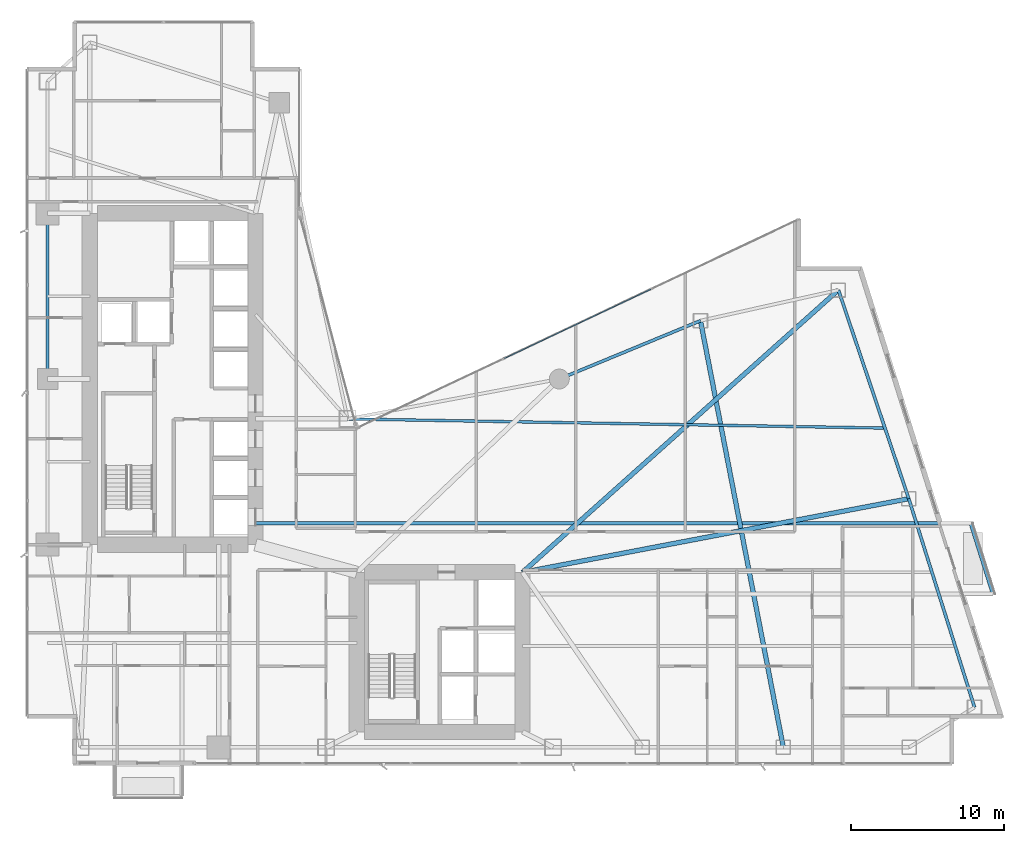
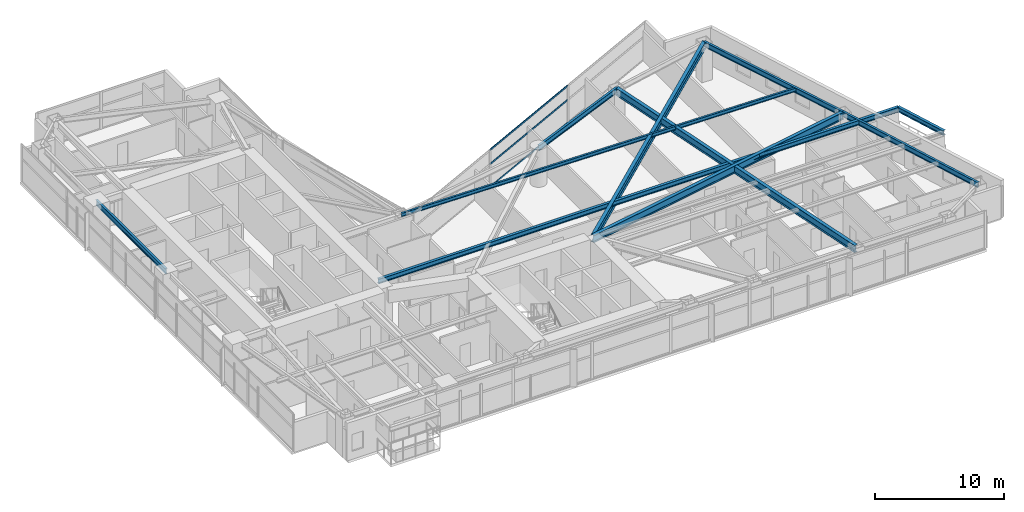
# One storey, part 15 of 29: 10 beams, 3 members, 1 element without a shape of its own.
"""IFC4 building model written with IfcOpenShell, lengths in metres."""

from ifc_helpers import new_model, si_unit, direction, frame, origin, origin_2d, place, context, subcontext, project, spatial, hollow_rectangle, i_section, extrude, material, layer, layer_set, material_profile, profile_set, type_object, element, aggregate, save


model = new_model("IFC4")

# Units and contexts
model_context = context("Model", 3, precision=1e-05, world=origin(), true_north=direction((0.0, 1.0)))
body_context = subcontext(model_context, "Body", "Model", "MODEL_VIEW")
ifc_project = project(units=[si_unit("LENGTHUNIT", "METRE"), si_unit("AREAUNIT", "SQUARE_METRE"), si_unit("VOLUMEUNIT", "CUBIC_METRE"), si_unit("PLANEANGLEUNIT", "RADIAN"), si_unit("MASSUNIT", "GRAM", prefix="KILO")], contexts=[model_context])

# Site, building, storey
site_placement = place(None, origin())
site = spatial("IfcSite", under=ifc_project, at=site_placement, CompositionType="ELEMENT")
building_placement = place(site_placement, origin())
building = spatial("IfcBuilding", under=site, at=building_placement, Name="Calvorn Quay Hotel", CompositionType="ELEMENT")
storey_placement = place(building_placement, frame((0.0, 0.0, 81.199951171875)))
storey = spatial("IfcBuildingStorey", under=building, at=storey_placement, Name="L19", CompositionType="ELEMENT", Elevation=81.199951171875)

# Beams
ifc_material_1 = material(Name="Steel Q355B", Category="steel")
ifc_material_profile_1 = material_profile(ifc_material_1, i_section(OverallWidth=0.25, OverallDepth=0.449951171875, WebThickness=0.011962890625, FlangeThickness=0.01611328125, FilletRadius=0.01611328125, at=origin_2d()), Name="HN450x250x12x16")
ifc_profile_set_1 = profile_set([ifc_material_profile_1], Name="Steel Q355B")
beam_type_1 = type_object("IfcBeamType", Name="BM-CANT-BALC", PredefinedType="BEAM", material=ifc_profile_set_1)
beam_1_placement = place(storey_placement, frame((15.0, 18.199951171875, 3.31494140625), z_axis=(1.0, 0.0, 0.0), x_axis=(0.0, 1.0, 0.0)))
element("IfcBeam", 1, at=beam_1_placement, inside=storey, type_object=beam_type_1, Name="Cantilever Balcony Beam BCB-L20-1B", PredefinedType="BEAM", context=body_context, shape_type="SweptSolid", body=[
    extrude(i_section(OverallWidth=0.25, OverallDepth=0.449951171875, WebThickness=0.011962890625, FlangeThickness=0.01611328125, FilletRadius=0.01611328125, at=origin_2d()), origin(), (0.0, 0.0, 1.0), 46.6201171875),
])
beam_2_placement = place(storey_placement, frame((63.069091796875, 13.60009765625, 3.31494140625), z_axis=(-0.300450487966, 0.953797412599, 0.0), x_axis=(-0.953797412599, -0.300450487966, 0.0)))
element("IfcBeam", 2, at=beam_2_placement, inside=storey, type_object=beam_type_1, Name="Beam BCBO-L20-1", PredefinedType="BEAM", context=body_context, shape_type="SweptSolid", body=[
    extrude(i_section(OverallWidth=0.25, OverallDepth=0.449951171875, WebThickness=0.011962890625, FlangeThickness=0.01611328125, FilletRadius=0.01611328125, at=origin_2d()), origin(), (0.0, 0.0, 1.0), 4.82275390625),
])
ifc_material_2 = material(Name="Steel Q390GJC", Category="steel")
ifc_material_profile_2 = material_profile(ifc_material_2, i_section(OverallWidth=0.300048828125, OverallDepth=0.699951171875, WebThickness=0.012939453125, FlangeThickness=0.02392578125, FilletRadius=0.02392578125, at=origin_2d()), Name="HN700x300x13x24")
ifc_profile_set_2 = profile_set([ifc_material_profile_2], Name="Steel Q390GJC")
beam_type_2 = type_object("IfcBeamType", Name="BM-GIRD-MAIN", PredefinedType="BEAM", material=ifc_profile_set_2)
beam_3_placement = place(storey_placement, frame((32.39990234375, 15.0, 3.18994140625), z_axis=(0.982305450614, 0.18728588226, 0.0), x_axis=(-0.18728588226, 0.982305450614, 0.0)))
element("IfcBeam", 3, at=beam_3_placement, inside=storey, type_object=beam_type_2, Name="Beam BG-L19-E2", PredefinedType="BEAM", context=body_context, shape_type="SweptSolid", body=[
    extrude(i_section(OverallWidth=0.300048828125, OverallDepth=0.699951171875, WebThickness=0.012939453125, FlangeThickness=0.02392578125, FilletRadius=0.02392578125, at=origin_2d()), origin(), (0.0, 0.0, 1.0), 25.629638671875),
])
beam_4_placement = place(storey_placement, frame((32.39990234375, 15.0, 3.18994140625), z_axis=(0.745667316004, 0.666318432766, 0.0), x_axis=(-0.666318432766, 0.745667316004, 0.0)))
element("IfcBeam", 4, at=beam_4_placement, inside=storey, type_object=beam_type_2, Name="Beam BG-L19-E3", PredefinedType="BEAM", context=body_context, shape_type="SweptSolid", body=[
    extrude(i_section(OverallWidth=0.300048828125, OverallDepth=0.699951171875, WebThickness=0.012939453125, FlangeThickness=0.02392578125, FilletRadius=0.02392578125, at=origin_2d()), origin(), (0.0, 0.0, 1.0), 27.6142578125),
])
beam_5_placement = place(storey_placement, frame((49.39990234375, 3.60009765625, 3.18994140625), z_axis=(-0.190678596862, 0.981652521363, 0.0), x_axis=(-0.981652521363, -0.190678596862, 0.0)))
element("IfcBeam", 5, at=beam_5_placement, inside=storey, type_object=beam_type_2, Name="Beam BG-L19-E5", PredefinedType="BEAM", context=body_context, shape_type="SweptSolid", body=[
    extrude(i_section(OverallWidth=0.300048828125, OverallDepth=0.699951171875, WebThickness=0.012939453125, FlangeThickness=0.02392578125, FilletRadius=0.02392578125, at=origin_2d()), origin(), (0.0, 0.0, 1.0), 28.3193359375),
])
ifc_material_3 = material(Name="Steel Q355B", Category="steel")
ifc_material_profile_3 = material_profile(ifc_material_3, i_section(OverallWidth=0.175048828125, OverallDepth=0.35009765625, WebThickness=0.007080078125, FlangeThickness=0.010986328125, FilletRadius=0.013916015625, at=origin_2d()), Name="HN350x175x7x11")
ifc_profile_set_3 = profile_set([ifc_material_profile_3], Name="Steel Q355B")
beam_type_3 = type_object("IfcBeamType", Name="BM-JOIST-SEC", PredefinedType="JOIST", material=ifc_profile_set_3)
beam_6_placement = place(storey_placement, frame((21.0, 25.0, 3.364990234375), z_axis=(0.999854105858, -0.017081188436, 0.0), x_axis=(0.017081188436, 0.999854105858, 0.0)))
element("IfcBeam", 6, at=beam_6_placement, inside=storey, type_object=beam_type_3, Name="Beam BJ-L19-E3", PredefinedType="JOIST", context=body_context, shape_type="SweptSolid", body=[
    extrude(i_section(OverallWidth=0.175048828125, OverallDepth=0.35009765625, WebThickness=0.007080078125, FlangeThickness=0.010986328125, FilletRadius=0.013916015625, at=origin_2d()), origin(), (0.0, 0.0, 1.0), 35.132080078125),
])
ifc_material_4 = material(Name="Steel Q355B", Category="steel")
ifc_material_profile_4 = material_profile(ifc_material_4, i_section(OverallWidth=0.199951171875, OverallDepth=0.5, WebThickness=0.010009765625, FlangeThickness=0.01611328125, FilletRadius=0.01611328125, at=origin_2d()), Name="HN500x200x10x16")
ifc_profile_set_4 = profile_set([ifc_material_profile_4], Name="Steel Q355B")
beam_type_4 = type_object("IfcBeamType", Name="BM-SPANDREL-Z1", PredefinedType="SPANDREL", material=ifc_profile_set_4)
beam_7_placement = place(storey_placement, frame((1.449951171875, 27.60009765625, 3.2900390625), z_axis=(0.0, 1.0, 0.0), x_axis=(-1.0, 0.0, 0.0)))
element("IfcBeam", 7, at=beam_7_placement, inside=storey, type_object=beam_type_4, Name="Beam BSP-L19-W3", PredefinedType="SPANDREL", context=body_context, shape_type="SweptSolid", body=[
    extrude(i_section(OverallWidth=0.199951171875, OverallDepth=0.5, WebThickness=0.010009765625, FlangeThickness=0.01611328125, FilletRadius=0.01611328125, at=origin_2d()), origin(), (0.0, 0.0, 1.0), 10.7998046875),
])
beam_8_placement = place(storey_placement, frame((61.861083984375, 6.199951171875, 3.2900390625), z_axis=(-0.300518378216, 0.953776024208, 0.0), x_axis=(-0.953776024208, -0.300518378216, 0.0)))
element("IfcBeam", 8, at=beam_8_placement, inside=storey, type_object=beam_type_4, Name="Beam BSP-L19-E1", PredefinedType="SPANDREL", context=body_context, shape_type="SweptSolid", body=[
    extrude(i_section(OverallWidth=0.199951171875, OverallDepth=0.5, WebThickness=0.010009765625, FlangeThickness=0.01611328125, FilletRadius=0.01611328125, at=origin_2d()), origin(), (0.0, 0.0, 1.0), 14.25927734375),
])
beam_9_placement = place(storey_placement, frame((57.575927734375, 19.800048828125, 3.2900390625), z_axis=(-0.319466515944, 0.947597564998, 0.0), x_axis=(-0.947597564998, -0.319466515944, 0.0)))
element("IfcBeam", 9, at=beam_9_placement, inside=storey, type_object=beam_type_4, Name="Beam BSP-L19-E2", PredefinedType="SPANDREL", context=body_context, shape_type="SweptSolid", body=[
    extrude(i_section(OverallWidth=0.199951171875, OverallDepth=0.5, WebThickness=0.010009765625, FlangeThickness=0.01611328125, FilletRadius=0.01611328125, at=origin_2d()), origin(), (0.0, 0.0, 1.0), 14.35205078125),
])
beam_10_placement = place(storey_placement, frame((44.0, 31.39990234375, 3.2900390625), z_axis=(-0.92426763497, -0.381745123017, 0.0), x_axis=(0.381745123017, -0.92426763497, 0.0)))
element("IfcBeam", 10, at=beam_10_placement, inside=storey, type_object=beam_type_4, Name="Beam BSP-L19-E4", PredefinedType="SPANDREL", context=body_context, shape_type="SweptSolid", body=[
    extrude(i_section(OverallWidth=0.199951171875, OverallDepth=0.5, WebThickness=0.010009765625, FlangeThickness=0.01611328125, FilletRadius=0.01611328125, at=origin_2d()), origin(), (0.0, 0.0, 1.0), 9.953857421875),
])

# Curtain wall, members
ifc_material_5 = material(Name="Pale Anodised Aluminium and Low-E Glass", Category="aluminium")
ifc_layer = layer(ifc_material_5, 0.219970703125)
ifc_layer_set = layer_set([ifc_layer], Name="CW-SYS-Z1")
curtain_wall_type = type_object("IfcCurtainWallType", Name="CW-SYS-Z1", PredefinedType="NOTDEFINED", material=ifc_layer_set)
curtain_wall_placement = place(storey_placement, origin())
curtain_wall = element("IfcCurtainWall", 11, at=curtain_wall_placement, inside=storey, type_object=curtain_wall_type, Name="Inner Court Curtain Wall L19-NE1", PredefinedType="NOTDEFINED")
ifc_material_6 = material(Name="Pale Anodised Aluminium 6063-T6", Category="aluminium")
ifc_material_profile_5 = material_profile(ifc_material_6, hollow_rectangle(XDim=0.06494140625, YDim=0.1650390625, WallThickness=0.00341796875, at=origin_2d()), Name="ALU-T165x65x3.5")
ifc_profile_set_5 = profile_set([ifc_material_profile_5], Name="Pale Anodised Aluminium 6063-T6")
member_type = type_object("IfcMemberType", Name="CW-SYS-Z1-TRN", PredefinedType="USERDEFINED", material=ifc_profile_set_5)
member_1_placement = place(storey_placement, frame((40.77294921875, 33.453857421875, 0.030029296875), z_axis=(-0.904247654564, -0.427008406493, 0.0), x_axis=(0.427008406493, -0.904247654564, 0.0)))
member_1 = element("IfcMember", 12, at=member_1_placement, type_object=member_type, Name="CW-L19-NE1 transom 2.1", ObjectType="TRANSOM", PredefinedType="USERDEFINED", context=body_context, shape_type="SweptSolid", body=[
    extrude(hollow_rectangle(XDim=0.06494140625, YDim=0.1650390625, WallThickness=0.00341796875, at=origin_2d()), origin(), (0.0, 0.0, 1.0), 10.556640625),
])
member_2_placement = place(storey_placement, frame((40.77294921875, 33.453857421875, 2.199951171875), z_axis=(-0.904247654564, -0.427008406493, 0.0), x_axis=(0.427008406493, -0.904247654564, 0.0)))
member_2 = element("IfcMember", 13, at=member_2_placement, type_object=member_type, Name="CW-L19-NE1 transom 2.2", ObjectType="TRANSOM", PredefinedType="USERDEFINED", context=body_context, shape_type="SweptSolid", body=[
    extrude(hollow_rectangle(XDim=0.06494140625, YDim=0.1650390625, WallThickness=0.00341796875, at=origin_2d()), origin(), (0.0, 0.0, 1.0), 10.556640625),
])
member_3_placement = place(storey_placement, frame((40.77294921875, 33.453857421875, 3.530029296875), z_axis=(-0.904247654564, -0.427008406493, 0.0), x_axis=(0.427008406493, -0.904247654564, 0.0)))
member_3 = element("IfcMember", 14, at=member_3_placement, type_object=member_type, Name="CW-L19-NE1 transom 2.3", ObjectType="TRANSOM", PredefinedType="USERDEFINED", context=body_context, shape_type="SweptSolid", body=[
    extrude(hollow_rectangle(XDim=0.06494140625, YDim=0.1650390625, WallThickness=0.00341796875, at=origin_2d()), origin(), (0.0, 0.0, 1.0), 10.556640625),
])
aggregate(curtain_wall, [member_1, member_2, member_3])

save(model, "model.ifc")
